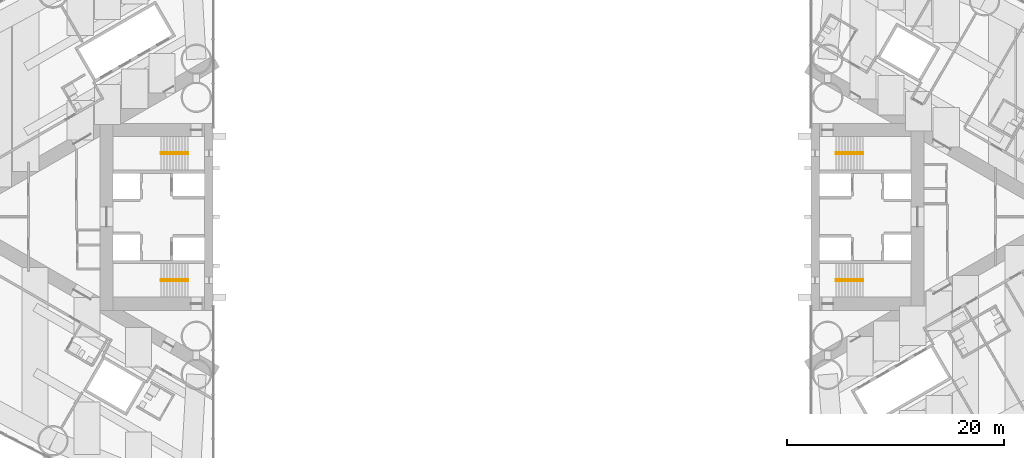
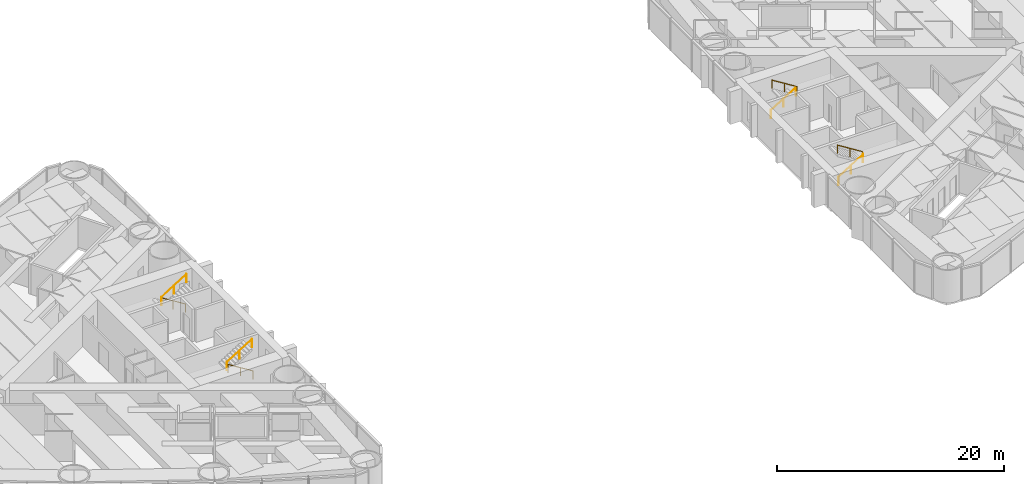
# One storey, part 18 of 19: 8 railings.
"""IFC4 building model written with IfcOpenShell, lengths in metres."""

import ifcopenshell
import ifcopenshell.guid

model = None  # the IFC model being written
_history = None  # IfcOwnerHistory: only IFC2X3 demands one
_inside = {}  # id of a spatial element -> (the spatial element, [elements in it])
_under = {}  # id of a project, library or spatial element -> (it, [spatial elements below it])
_declared = {}  # id of a project -> (the project, [libraries it declares])
_typed = {}  # id of a type object -> (the type object, [elements of that type])
_made_of = {}  # id of a material, layer set ... -> (it, [elements and type objects made of it])


def new_model(schema):
    """Start an empty IFC model of exactly this schema.

    Asked for "IFC4X3", IfcOpenShell would pick the latest addendum, in which some entities
    have other attributes; the version numbers below select the first issue.
    IFC2X3 requires an IfcOwnerHistory on every rooted entity: one is made here for all.
    """
    global model, _history
    if schema == "IFC4X3":
        model = ifcopenshell.file(schema_version=(4, 3, 0, 0))
    else:
        model = ifcopenshell.file(schema=schema)
    _inside.clear()
    _under.clear()
    _declared.clear()
    _typed.clear()
    _made_of.clear()
    _history = None
    if model.schema == "IFC2X3":
        org = make("IfcOrganization", Name="unknown")
        user = make(
            "IfcPersonAndOrganization",
            ThePerson=make("IfcPerson", FamilyName="unknown"),
            TheOrganization=org,
        )
        app = make(
            "IfcApplication",
            ApplicationDeveloper=org,
            Version="unknown",
            ApplicationFullName="unknown",
            ApplicationIdentifier="unknown",
        )
        _history = make(
            "IfcOwnerHistory",
            OwningUser=user,
            OwningApplication=app,
            ChangeAction="ADDED",
            CreationDate=0,
        )
    return model


def make(cls, **values):
    """One entity of the class cls with the attributes given. An attribute that is None is left unset."""
    return model.create_entity(
        cls, **{name: value for name, value in values.items() if value is not None}
    )


def rooted(cls, **values):
    """An entity with a GlobalId (a new one), such as an element, a storey or a relation."""
    return make(cls, GlobalId=ifcopenshell.guid.new(), OwnerHistory=_history, **values)


def si_unit(unit_type, name, prefix=None):
    """IfcSIUnit, for example si_unit("LENGTHUNIT", "METRE", prefix="MILLI")."""
    return make("IfcSIUnit", UnitType=unit_type, Prefix=prefix, Name=name)


def assignment(units):
    """IfcUnitAssignment: the units of a project."""
    return None if units is None else make("IfcUnitAssignment", Units=units)


def point(xyz):
    """IfcCartesianPoint."""
    return None if xyz is None else make("IfcCartesianPoint", Coordinates=xyz)


def direction(xyz):
    """IfcDirection."""
    return None if xyz is None else make("IfcDirection", DirectionRatios=xyz)


def frame(location, z_axis=None, x_axis=None):
    """IfcAxis2Placement3D, a coordinate frame: its origin and axes. An axis left out is left unset."""
    return make(
        "IfcAxis2Placement3D",
        Location=point(location),
        Axis=direction(z_axis),
        RefDirection=direction(x_axis),
    )


def frame_2d(location, x_axis=None):
    """IfcAxis2Placement2D, a coordinate frame in the plane: its origin and x axis."""
    return make(
        "IfcAxis2Placement2D", Location=point(location), RefDirection=direction(x_axis)
    )


def origin():
    """The frame at (0, 0, 0) with its axes left unset."""
    return frame((0.0, 0.0, 0.0))


def origin_2d():
    """The frame at (0, 0) in the plane with its x axis left unset."""
    return frame_2d((0.0, 0.0))


def place(relative_to, where):
    """IfcLocalPlacement: puts the frame where relative to a parent placement (None: the world)."""
    return make(
        "IfcLocalPlacement", PlacementRelTo=relative_to, RelativePlacement=where
    )


def context(
    kind, dimensions, precision=None, world=None, true_north=None, identifier=None
):
    """IfcGeometricRepresentationContext, for example the 3D "Model" context."""
    return make(
        "IfcGeometricRepresentationContext",
        ContextIdentifier=identifier,
        ContextType=kind,
        CoordinateSpaceDimension=dimensions,
        Precision=precision,
        WorldCoordinateSystem=world,
        TrueNorth=true_north,
    )


def subcontext(parent, identifier, kind, view, scale=None):
    """IfcGeometricRepresentationSubContext, for example "Body" below "Model"."""
    return make(
        "IfcGeometricRepresentationSubContext",
        ContextIdentifier=identifier,
        ContextType=kind,
        ParentContext=parent,
        TargetScale=scale,
        TargetView=view,
    )


def project(units=None, contexts=None):
    """IfcProject with its units and contexts."""
    return rooted(
        "IfcProject",
        Name="project",
        RepresentationContexts=contexts,
        UnitsInContext=assignment(units),
    )


def spatial(cls, under=None, at=None, **own):
    """A site, building, storey or space (cls), placed at a placement, below another one or the project."""
    s = rooted(cls, ObjectPlacement=at, **own)
    if under is not None:
        _under.setdefault(under.id(), (under, []))[1].append(s)
    return s


def profile(cls, at=None, kind="AREA", **sizes):
    """A parametric profile (cls). Its sizes go by their IFC names, for example OverallWidth=200.0."""
    return make(cls, ProfileType=kind, Position=at, **sizes)


def circle(**sizes):
    """IfcCircleProfileDef."""
    return profile("IfcCircleProfileDef", **sizes)


def extrude(swept, where, along, depth):
    """IfcExtrudedAreaSolid: the profile swept, set in the frame where, extruded along a direction by depth."""
    return make(
        "IfcExtrudedAreaSolid",
        SweptArea=swept,
        Position=where,
        ExtrudedDirection=direction(along),
        Depth=depth,
    )


def shape(context_of_items, identifier, shape_type, items):
    """IfcShapeRepresentation: the items that make up one representation, for example the "Body"."""
    return make(
        "IfcShapeRepresentation",
        ContextOfItems=context_of_items,
        RepresentationIdentifier=identifier,
        RepresentationType=shape_type,
        Items=items,
    )


def material(Name=None, Category=None):
    """IfcMaterial."""
    return make("IfcMaterial", Name=Name, Category=Category)


def made_of(thing, what):
    """Note that an element or type object is made of a material, layer set ...; save() writes the relation."""
    if what is not None:
        _made_of.setdefault(what.id(), (what, []))[1].append(thing)
    return thing


def type_object(cls, material=None, **own):
    """A type object (cls), such as IfcWallType, which elements share."""
    return made_of(rooted(cls, **own), material)


def element(
    cls,
    number,
    at=None,
    inside=None,
    cuts=None,
    type_object=None,
    material=None,
    context=None,
    identifier="Body",
    shape_type=None,
    held_by="IfcProductDefinitionShape",
    body=None,
    shapes=None,
    **own,
):
    """One element of the class cls, such as IfcWall. Its Tag is "e" and its number.

    at: its placement. inside: the storey or other place that contains it. cuts: it is an
    opening in that element (IfcRelVoidsElement). A single representation is given by context,
    identifier, shape_type and body (its items); several are given by shapes. held_by: the class
    of the entity that holds the representations. save() writes the other relations.
    """
    e = rooted(cls, Tag="e%d" % number, ObjectPlacement=at, **own)
    if body is not None:
        shapes = [shape(context, identifier, shape_type, body)]
    if shapes is not None:
        e.Representation = make(held_by, Representations=shapes)
    if inside is not None:
        _inside.setdefault(inside.id(), (inside, []))[1].append(e)
    if cuts is not None:
        rooted(
            "IfcRelVoidsElement", RelatingBuildingElement=cuts, RelatedOpeningElement=e
        )
    if type_object is not None:
        _typed.setdefault(type_object.id(), (type_object, []))[1].append(e)
    return made_of(e, material)


def aggregate(whole, parts):
    """IfcRelAggregates: a whole, such as a stair, and the parts it consists of."""
    return rooted("IfcRelAggregates", RelatingObject=whole, RelatedObjects=parts)


def save(model, path):
    """Write the relations noted so far, then the file.

    IfcRelAggregates (storeys below a building ...), IfcRelContainedInSpatialStructure (elements
    in a storey), IfcRelDefinesByType, IfcRelAssociatesMaterial and IfcRelDeclares: one each for
    every whole, place, type object, material and project.
    """
    for whole, parts in _under.values():
        aggregate(whole, parts)
    for where, things in _inside.values():
        rooted(
            "IfcRelContainedInSpatialStructure",
            RelatedElements=things,
            RelatingStructure=where,
        )
    for kind, things in _typed.values():
        rooted("IfcRelDefinesByType", RelatedObjects=things, RelatingType=kind)
    for what, things in _made_of.values():
        rooted("IfcRelAssociatesMaterial", RelatedObjects=things, RelatingMaterial=what)
    for by, libraries in _declared.values():
        rooted("IfcRelDeclares", RelatingContext=by, RelatedDefinitions=libraries)
    model.write(path)


model = new_model("IFC4")

# Units and contexts
model_context = context("Model", 3, precision=1e-05, world=origin(), true_north=direction((0.0, 1.0)))
body_context = subcontext(model_context, "Body", "Model", "MODEL_VIEW")
ifc_project = project(units=[si_unit("LENGTHUNIT", "METRE"), si_unit("AREAUNIT", "SQUARE_METRE"), si_unit("VOLUMEUNIT", "CUBIC_METRE"), si_unit("PLANEANGLEUNIT", "RADIAN"), si_unit("MASSUNIT", "GRAM", prefix="KILO")], contexts=[model_context])

# Site, building, storey
site_placement = place(None, origin())
site = spatial("IfcSite", under=ifc_project, at=site_placement, CompositionType="ELEMENT")
building_placement = place(site_placement, origin())
building = spatial("IfcBuilding", under=site, at=building_placement, Name="Lancet Gate Hotel", CompositionType="ELEMENT")
storey_placement = place(building_placement, frame((0.0, 0.0, 28.5)))
storey = spatial("IfcBuildingStorey", under=building, at=storey_placement, Name="L06", CompositionType="ELEMENT", Elevation=28.5)

# Railings
ifc_material = material(Name="Stainless steel handrail", Category="steel")
railing_type = type_object("IfcRailingType", Name="Stair handrail 900", PredefinedType="HANDRAIL", material=ifc_material)
railing_1_placement = place(storey_placement, frame((-29.800048828125, 5.929931640625, 0.175048828125)))
element("IfcRailing", 1, at=railing_1_placement, inside=storey, type_object=railing_type, Name="ST1 handrail flight 1 L06", PredefinedType="HANDRAIL", context=body_context, shape_type="SweptSolid", body=[
    extrude(circle(Radius=0.02392578125, at=origin_2d()), frame((0.0, 0.0, 0.8759765625), z_axis=(-0.848007534815, 0.0, 0.529984170421), x_axis=(0.0, -1.0, 0.0)), (0.0, 0.0, 1.0), 2.9716796875),
    extrude(circle(Radius=0.02099609375, at=origin_2d()), origin(), (0.0, 0.0, 1.0), 0.851806640625),
    extrude(circle(Radius=0.02099609375, at=origin_2d()), frame((-1.260009765625, 0.0, 0.78759765625)), (0.0, 0.0, 1.0), 0.851806640625),
    extrude(circle(Radius=0.02099609375, at=origin_2d()), frame((-2.52001953125, 0.0, 1.574951171875)), (0.0, 0.0, 1.0), 0.851806640625),
])
railing_2_placement = place(storey_placement, frame((-32.320068359375, 5.77001953125, 1.925048828125)))
element("IfcRailing", 2, at=railing_2_placement, inside=storey, type_object=railing_type, Name="ST1 handrail flight 2 L06", PredefinedType="HANDRAIL", context=body_context, shape_type="SweptSolid", body=[
    extrude(circle(Radius=0.02392578125, at=origin_2d()), frame((0.0, 0.0, 0.8759765625), z_axis=(0.848007534815, 0.0, 0.529984170421), x_axis=(0.0, 1.0, 0.0)), (0.0, 0.0, 1.0), 2.9716796875),
    extrude(circle(Radius=0.02099609375, at=origin_2d()), origin(), (0.0, 0.0, 1.0), 0.851806640625),
    extrude(circle(Radius=0.02099609375, at=origin_2d()), frame((1.260009765625, 0.0, 0.78759765625)), (0.0, 0.0, 1.0), 0.851806640625),
    extrude(circle(Radius=0.02099609375, at=origin_2d()), frame((2.52001953125, 0.0, 1.574951171875)), (0.0, 0.0, 1.0), 0.851806640625),
])
railing_3_placement = place(storey_placement, frame((-29.800048828125, -5.929931640625, 0.175048828125)))
element("IfcRailing", 3, at=railing_3_placement, inside=storey, type_object=railing_type, Name="ST2 handrail flight 1 L06", PredefinedType="HANDRAIL", context=body_context, shape_type="SweptSolid", body=[
    extrude(circle(Radius=0.02392578125, at=origin_2d()), frame((0.0, 0.0, 0.8759765625), z_axis=(-0.848007534815, 0.0, 0.529984170421), x_axis=(0.0, -1.0, 0.0)), (0.0, 0.0, 1.0), 2.9716796875),
    extrude(circle(Radius=0.02099609375, at=origin_2d()), origin(), (0.0, 0.0, 1.0), 0.851806640625),
    extrude(circle(Radius=0.02099609375, at=origin_2d()), frame((-1.260009765625, 0.0, 0.78759765625)), (0.0, 0.0, 1.0), 0.851806640625),
    extrude(circle(Radius=0.02099609375, at=origin_2d()), frame((-2.52001953125, 0.0, 1.574951171875)), (0.0, 0.0, 1.0), 0.851806640625),
])
for number, where, name in (
    (4, (-32.320068359375, -5.77001953125, 1.925048828125), "ST2 handrail flight 2 L06"),
    (5, (29.800048828125, -5.929931640625, 0.175048828125), "ST3 handrail flight 1 L06"),
):
    element("IfcRailing", number, at=place(storey_placement, frame(where)), inside=storey, type_object=railing_type, Name=name, PredefinedType="HANDRAIL", context=body_context, shape_type="SweptSolid", body=[
        extrude(circle(Radius=0.02392578125, at=origin_2d()), frame((0.0, 0.0, 0.8759765625), z_axis=(0.848007534815, 0.0, 0.529984170421), x_axis=(0.0, 1.0, 0.0)), (0.0, 0.0, 1.0), 2.9716796875),
        extrude(circle(Radius=0.02099609375, at=origin_2d()), origin(), (0.0, 0.0, 1.0), 0.851806640625),
        extrude(circle(Radius=0.02099609375, at=origin_2d()), frame((1.260009765625, 0.0, 0.78759765625)), (0.0, 0.0, 1.0), 0.851806640625),
        extrude(circle(Radius=0.02099609375, at=origin_2d()), frame((2.52001953125, 0.0, 1.574951171875)), (0.0, 0.0, 1.0), 0.851806640625),
    ])
railing_4_placement = place(storey_placement, frame((32.320068359375, -5.77001953125, 1.925048828125)))
element("IfcRailing", 6, at=railing_4_placement, inside=storey, type_object=railing_type, Name="ST3 handrail flight 2 L06", PredefinedType="HANDRAIL", context=body_context, shape_type="SweptSolid", body=[
    extrude(circle(Radius=0.02392578125, at=origin_2d()), frame((0.0, 0.0, 0.8759765625), z_axis=(-0.848007534815, 0.0, 0.529984170421), x_axis=(0.0, -1.0, 0.0)), (0.0, 0.0, 1.0), 2.9716796875),
    extrude(circle(Radius=0.02099609375, at=origin_2d()), origin(), (0.0, 0.0, 1.0), 0.851806640625),
    extrude(circle(Radius=0.02099609375, at=origin_2d()), frame((-1.260009765625, 0.0, 0.78759765625)), (0.0, 0.0, 1.0), 0.851806640625),
    extrude(circle(Radius=0.02099609375, at=origin_2d()), frame((-2.52001953125, 0.0, 1.574951171875)), (0.0, 0.0, 1.0), 0.851806640625),
])
railing_5_placement = place(storey_placement, frame((29.800048828125, 5.929931640625, 0.175048828125)))
element("IfcRailing", 7, at=railing_5_placement, inside=storey, type_object=railing_type, Name="ST4 handrail flight 1 L06", PredefinedType="HANDRAIL", context=body_context, shape_type="SweptSolid", body=[
    extrude(circle(Radius=0.02392578125, at=origin_2d()), frame((0.0, 0.0, 0.8759765625), z_axis=(0.848007534815, 0.0, 0.529984170421), x_axis=(0.0, 1.0, 0.0)), (0.0, 0.0, 1.0), 2.9716796875),
    extrude(circle(Radius=0.02099609375, at=origin_2d()), origin(), (0.0, 0.0, 1.0), 0.851806640625),
    extrude(circle(Radius=0.02099609375, at=origin_2d()), frame((1.260009765625, 0.0, 0.78759765625)), (0.0, 0.0, 1.0), 0.851806640625),
    extrude(circle(Radius=0.02099609375, at=origin_2d()), frame((2.52001953125, 0.0, 1.574951171875)), (0.0, 0.0, 1.0), 0.851806640625),
])
railing_6_placement = place(storey_placement, frame((32.320068359375, 5.77001953125, 1.925048828125)))
element("IfcRailing", 8, at=railing_6_placement, inside=storey, type_object=railing_type, Name="ST4 handrail flight 2 L06", PredefinedType="HANDRAIL", context=body_context, shape_type="SweptSolid", body=[
    extrude(circle(Radius=0.02392578125, at=origin_2d()), frame((0.0, 0.0, 0.8759765625), z_axis=(-0.848007534815, 0.0, 0.529984170421), x_axis=(0.0, -1.0, 0.0)), (0.0, 0.0, 1.0), 2.9716796875),
    extrude(circle(Radius=0.02099609375, at=origin_2d()), origin(), (0.0, 0.0, 1.0), 0.851806640625),
    extrude(circle(Radius=0.02099609375, at=origin_2d()), frame((-1.260009765625, 0.0, 0.78759765625)), (0.0, 0.0, 1.0), 0.851806640625),
    extrude(circle(Radius=0.02099609375, at=origin_2d()), frame((-2.52001953125, 0.0, 1.574951171875)), (0.0, 0.0, 1.0), 0.851806640625),
])

save(model, "model.ifc")
